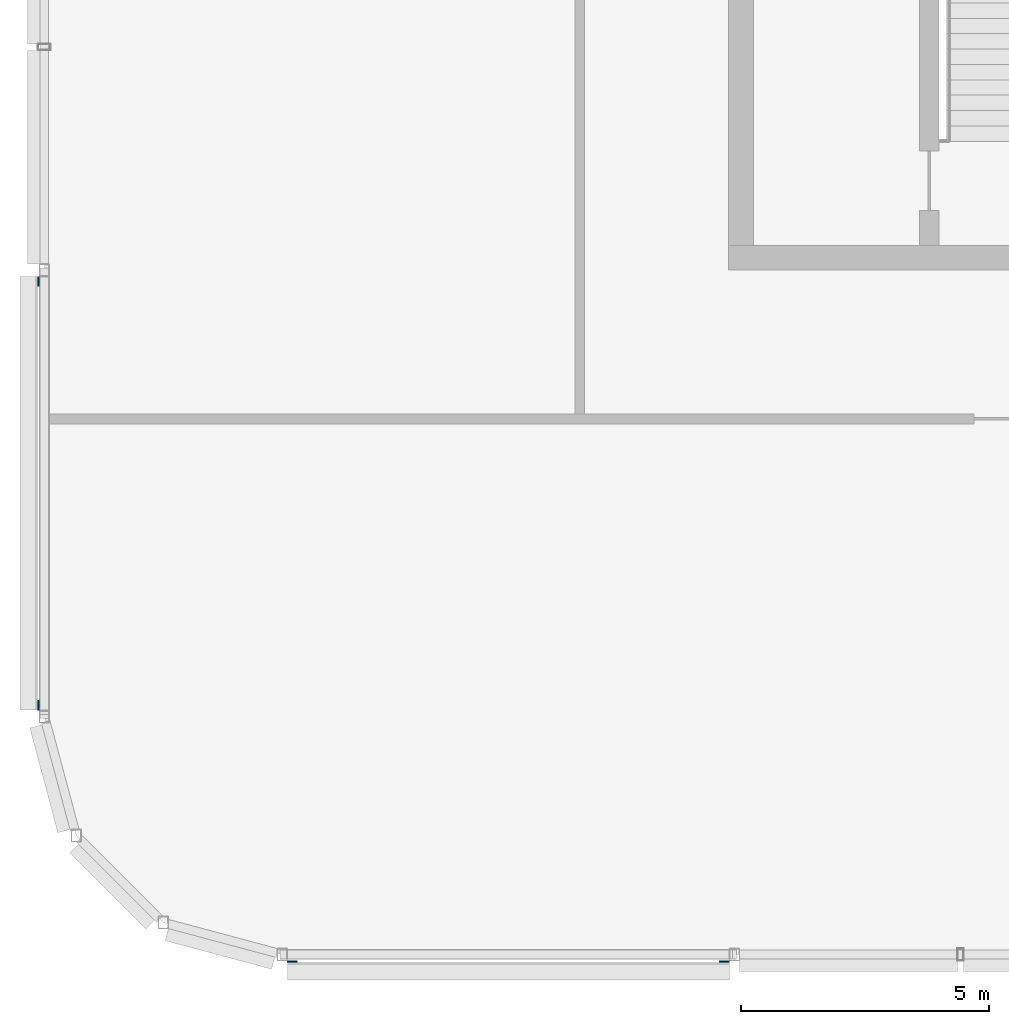
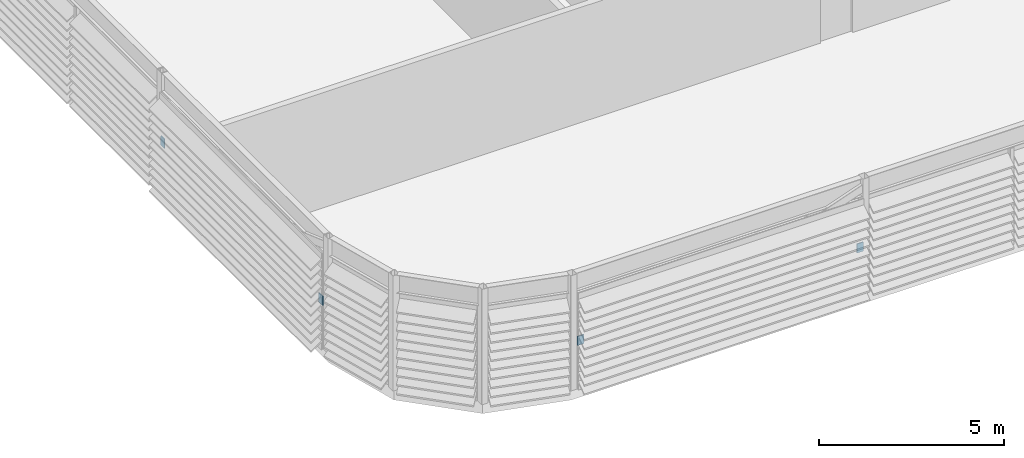
# One storey, part 18 of 28: 4 discrete accessories.
"""IFC4 building model written with IfcOpenShell, lengths in metres."""

from ifc_helpers import new_model, si_unit, direction, frame, origin, origin_2d, place, context, subcontext, project, spatial, rectangle, extrude, material, type_object, element, save


model = new_model("IFC4")

# Units and contexts
model_context = context("Model", 3, precision=1e-05, world=origin(), true_north=direction((0.0, 1.0)))
body_context = subcontext(model_context, "Body", "Model", "MODEL_VIEW")
ifc_project = project(units=[si_unit("LENGTHUNIT", "METRE"), si_unit("AREAUNIT", "SQUARE_METRE"), si_unit("VOLUMEUNIT", "CUBIC_METRE"), si_unit("PLANEANGLEUNIT", "RADIAN"), si_unit("MASSUNIT", "GRAM", prefix="KILO")], contexts=[model_context])

# Site, building, storey
site_placement = place(None, origin())
site = spatial("IfcSite", under=ifc_project, at=site_placement, CompositionType="ELEMENT")
building_placement = place(site_placement, origin())
building = spatial("IfcBuilding", under=site, at=building_placement, Name="Madar Terraces", CompositionType="ELEMENT")
storey_placement = place(building_placement, frame((0.0, 0.0, 310.10009765625)))
storey = spatial("IfcBuildingStorey", under=building, at=storey_placement, Name="L80", CompositionType="ELEMENT", Elevation=310.10009765625)

# Discrete accessories
ifc_material = material(Name="Steel, galvanised", Category="steel")
discrete_accessory_type = type_object("IfcDiscreteAccessoryType", Name="Louvre bank bracket", PredefinedType="BRACKET", material=ifc_material)
for number, where, z_axis, x_axis, name in (
    (1, (6.20166015625, 1.05810546875, 1.44873046875), (0.0, 0.0, 1.0), (1.0, 0.0, 0.0), "Louvre bank bracket"),
    (2, (14.91845703125, 1.05810546875, 1.44873046875), (0.0, 0.0, 1.0), (1.0, 0.0, 0.0), "Louvre bank bracket"),
    (3, (1.08349609375, 14.77294921875, 1.44873046875), (0.0, 0.0, 1.0), (0.0, -1.0, 0.0), "Louvre bank bracket"),
    (4, (1.08349609375, 6.22705078125, 1.44873046875), (0.0, 0.0, 1.0), (0.0, -1.0, 0.0), "Louvre bank bracket"),
):
    element("IfcDiscreteAccessory", number, at=place(storey_placement, frame(where, z_axis=z_axis, x_axis=x_axis)), inside=storey, type_object=discrete_accessory_type, Name=name, PredefinedType="BRACKET", context=body_context, shape_type="SweptSolid", body=[
        extrude(rectangle(XDim=0.199951171875, YDim=0.030029296875, at=origin_2d()), origin(), (0.0, 0.0, 1.0), 0.300048828125),
    ])

save(model, "model.ifc")
